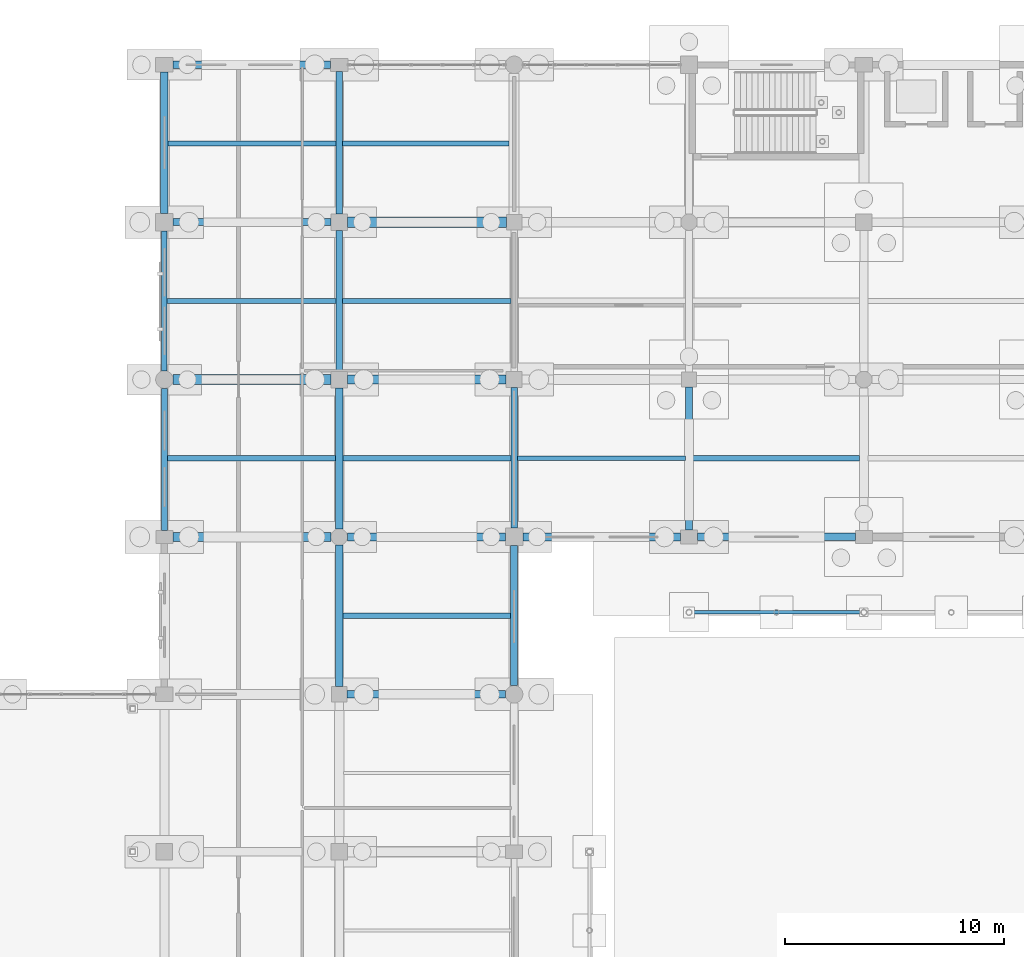
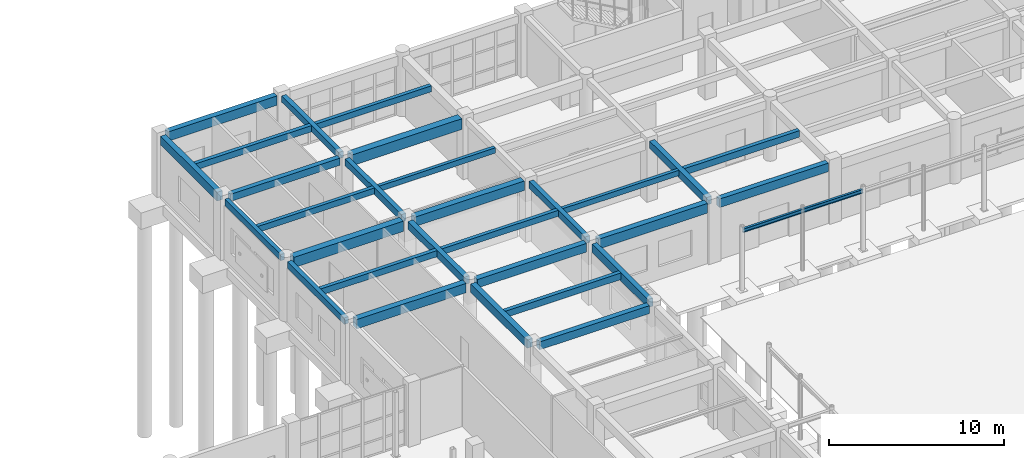
# One storey, part 61 of 166: 30 beams.
"""IFC4 building model written with IfcOpenShell, lengths in metres."""

from ifc_helpers import new_model, si_unit, direction, frame, origin, origin_2d, place, context, subcontext, project, spatial, rectangle, i_section, extrude, material, material_profile, profile_set, type_object, element, save


model = new_model("IFC4")

# Units and contexts
model_context = context("Model", 3, precision=1e-05, world=origin(), true_north=direction((0.0, 1.0)))
body_context = subcontext(model_context, "Body", "Model", "MODEL_VIEW")
ifc_project = project(units=[si_unit("LENGTHUNIT", "METRE"), si_unit("AREAUNIT", "SQUARE_METRE"), si_unit("VOLUMEUNIT", "CUBIC_METRE"), si_unit("PLANEANGLEUNIT", "RADIAN"), si_unit("MASSUNIT", "GRAM", prefix="KILO")], contexts=[model_context])

# Site, building, storey
site_placement = place(None, origin())
site = spatial("IfcSite", under=ifc_project, at=site_placement, CompositionType="ELEMENT")
building_placement = place(site_placement, origin())
building = spatial("IfcBuilding", under=site, at=building_placement, Name="Kharva Crest Polytechnic", CompositionType="ELEMENT")
storey_placement = place(building_placement, origin())
storey = spatial("IfcBuildingStorey", under=building, at=storey_placement, Name="L00", CompositionType="ELEMENT", Elevation=0.0)

# Beams
ifc_material_1 = material(Name="Concrete C35/45", Category="concrete")
ifc_material_profile_1 = material_profile(ifc_material_1, rectangle(XDim=0.300048828125, YDim=0.449951171875, at=origin_2d()), Name="RECT 300 X 450")
ifc_profile_set_1 = profile_set([ifc_material_profile_1], Name="Concrete C35/45")
beam_type_1 = type_object("IfcBeamType", Name="BM-RC-300X450", PredefinedType="BEAM", material=ifc_profile_set_1)
beam_1_placement = place(storey_placement, frame((40.0, 115.169921875, 3.9951171875), z_axis=(0.0, 1.0, 0.0), x_axis=(-1.0, 0.0, 0.0)))
element("IfcBeam", 1, at=beam_1_placement, inside=storey, type_object=beam_type_1, Name="L00 Girder 6/R-S", PredefinedType="BEAM", context=body_context, shape_type="SweptSolid", body=[
    extrude(rectangle(XDim=0.300048828125, YDim=0.449951171875, at=origin_2d()), origin(), (0.0, 0.0, 1.0), 6.530029296875),
])
ifc_material_profile_2 = material_profile(ifc_material_1, rectangle(XDim=0.300048828125, YDim=0.47998046875, at=origin_2d()), Name="RECT 300 X 480")
ifc_profile_set_2 = profile_set([ifc_material_profile_2], Name="Concrete C35/45")
beam_type_2 = type_object("IfcBeamType", Name="BM-RC-300X480", PredefinedType="BEAM", material=ifc_profile_set_2)
beam_2_placement = place(storey_placement, frame((40.0, 107.97998046875, 3.97998046875), z_axis=(0.0, 1.0, 0.0), x_axis=(-1.0, 0.0, 0.0)))
element("IfcBeam", 2, at=beam_2_placement, inside=storey, type_object=beam_type_2, Name="L00 Girder 6/Q-R", PredefinedType="BEAM", context=body_context, shape_type="SweptSolid", body=[
    extrude(rectangle(XDim=0.300048828125, YDim=0.47998046875, at=origin_2d()), origin(), (0.0, 0.0, 1.0), 6.449951171875),
])
beam_3_placement = place(storey_placement, frame((48.0, 100.800048828125, 3.97998046875), z_axis=(0.0, 1.0, 0.0), x_axis=(-1.0, 0.0, 0.0)))
element("IfcBeam", 3, at=beam_3_placement, inside=storey, type_object=beam_type_2, Name="L00 Girder 7/P-Q", PredefinedType="BEAM", context=body_context, shape_type="SweptSolid", body=[
    extrude(rectangle(XDim=0.300048828125, YDim=0.47998046875, at=origin_2d()), origin(), (0.0, 0.0, 1.0), 6.429931640625),
])
ifc_material_profile_3 = material_profile(ifc_material_1, rectangle(XDim=0.320068359375, YDim=0.5, at=origin_2d()), Name="RECT 320 X 500")
ifc_profile_set_3 = profile_set([ifc_material_profile_3], Name="Concrete C35/45")
beam_type_3 = type_object("IfcBeamType", Name="BM-RC-320X500", PredefinedType="BEAM", material=ifc_profile_set_3)
beam_4_placement = place(storey_placement, frame((32.39990234375, 114.800048828125, 3.969970703125), z_axis=(1.0, 0.0, 0.0), x_axis=(0.0, 1.0, 0.0)))
element("IfcBeam", 4, at=beam_4_placement, inside=storey, type_object=beam_type_3, Name="L00 Beam R/5-6", PredefinedType="BEAM", context=body_context, shape_type="SweptSolid", body=[
    extrude(rectangle(XDim=0.320068359375, YDim=0.5, at=origin_2d()), origin(), (0.0, 0.0, 1.0), 7.22998046875),
])
ifc_material_profile_4 = material_profile(ifc_material_1, rectangle(XDim=0.340087890625, YDim=0.52001953125, at=origin_2d()), Name="RECT 340 X 520")
ifc_profile_set_4 = profile_set([ifc_material_profile_4], Name="Concrete C35/45")
beam_type_4 = type_object("IfcBeamType", Name="BM-RC-340X520", PredefinedType="BEAM", material=ifc_profile_set_4)
beam_5_placement = place(storey_placement, frame((40.0, 100.77490234375, 3.9599609375), z_axis=(0.0, 1.0, 0.0), x_axis=(-1.0, 0.0, 0.0)))
element("IfcBeam", 5, at=beam_5_placement, inside=storey, type_object=beam_type_4, Name="L00 Girder 6/P-Q", PredefinedType="BEAM", context=body_context, shape_type="SweptSolid", body=[
    extrude(rectangle(XDim=0.340087890625, YDim=0.52001953125, at=origin_2d()), origin(), (0.0, 0.0, 1.0), 6.445068359375),
])
beam_6_placement = place(storey_placement, frame((56.0, 100.72509765625, 3.9599609375), z_axis=(0.0, 1.0, 0.0), x_axis=(-1.0, 0.0, 0.0)))
element("IfcBeam", 6, at=beam_6_placement, inside=storey, type_object=beam_type_4, Name="L00 Girder 8/P-Q", PredefinedType="BEAM", context=body_context, shape_type="SweptSolid", body=[
    extrude(rectangle(XDim=0.340087890625, YDim=0.52001953125, at=origin_2d()), origin(), (0.0, 0.0, 1.0), 6.52490234375),
])
ifc_material_profile_5 = material_profile(ifc_material_1, rectangle(XDim=0.35009765625, YDim=0.550048828125, at=origin_2d()), Name="RECT 350 X 550")
ifc_profile_set_5 = profile_set([ifc_material_profile_5], Name="Concrete C35/45")
beam_type_5 = type_object("IfcBeamType", Name="BM-RC-350X550", PredefinedType="BEAM", material=ifc_profile_set_5)
beam_7_placement = place(storey_placement, frame((40.35009765625, 93.199951171875, 3.945068359375), z_axis=(1.0, 0.0, 0.0), x_axis=(0.0, 1.0, 0.0)))
element("IfcBeam", 7, at=beam_7_placement, inside=storey, type_object=beam_type_5, Name="L00 Beam N/6-7", PredefinedType="BEAM", context=body_context, shape_type="SweptSolid", body=[
    extrude(rectangle(XDim=0.35009765625, YDim=0.550048828125, at=origin_2d()), origin(), (0.0, 0.0, 1.0), 7.25),
])
ifc_material_profile_6 = material_profile(ifc_material_1, rectangle(XDim=0.360107421875, YDim=0.580078125, at=origin_2d()), Name="RECT 360 X 580")
ifc_profile_set_6 = profile_set([ifc_material_profile_6], Name="Concrete C35/45")
beam_type_6 = type_object("IfcBeamType", Name="BM-RC-360X580", PredefinedType="BEAM", material=ifc_profile_set_6)
beam_8_placement = place(storey_placement, frame((40.0, 93.550048828125, 3.929931640625), z_axis=(0.0, 1.0, 0.0), x_axis=(-1.0, 0.0, 0.0)))
element("IfcBeam", 8, at=beam_8_placement, inside=storey, type_object=beam_type_6, Name="L00 Girder 6/N-P", PredefinedType="BEAM", context=body_context, shape_type="SweptSolid", body=[
    extrude(rectangle(XDim=0.360107421875, YDim=0.580078125, at=origin_2d()), origin(), (0.0, 0.0, 1.0), 6.474853515625),
])
ifc_material_profile_7 = material_profile(ifc_material_1, rectangle(XDim=0.3798828125, YDim=0.60009765625, at=origin_2d()), Name="RECT 380 X 600")
ifc_profile_set_7 = profile_set([ifc_material_profile_7], Name="Concrete C35/45")
beam_type_7 = type_object("IfcBeamType", Name="BM-RC-380X600", PredefinedType="BEAM", material=ifc_profile_set_7)
beam_9_placement = place(storey_placement, frame((40.375, 100.39990234375, 3.919921875), z_axis=(1.0, 0.0, 0.0), x_axis=(0.0, 1.0, 0.0)))
element("IfcBeam", 9, at=beam_9_placement, inside=storey, type_object=beam_type_7, Name="L00 Beam P/6-7", PredefinedType="BEAM", context=body_context, shape_type="SweptSolid", body=[
    extrude(rectangle(XDim=0.3798828125, YDim=0.60009765625, at=origin_2d()), origin(), (0.0, 0.0, 1.0), 7.22509765625),
])
ifc_material_profile_8 = material_profile(ifc_material_1, rectangle(XDim=0.39990234375, YDim=0.64990234375, at=origin_2d()), Name="RECT 400 X 650")
ifc_profile_set_8 = profile_set([ifc_material_profile_8], Name="Concrete C35/45")
beam_type_8 = type_object("IfcBeamType", Name="BM-RC-400X650", PredefinedType="BEAM", material=ifc_profile_set_8)
beam_10_placement = place(storey_placement, frame((32.389892578125, 100.39990234375, 3.89501953125), z_axis=(1.0, 0.0, 0.0), x_axis=(0.0, 1.0, 0.0)))
element("IfcBeam", 10, at=beam_10_placement, inside=storey, type_object=beam_type_8, Name="L00 Beam P/5-6", PredefinedType="BEAM", context=body_context, shape_type="SweptSolid", body=[
    extrude(rectangle(XDim=0.39990234375, YDim=0.64990234375, at=origin_2d()), origin(), (0.0, 0.0, 1.0), 7.235107421875),
])
ifc_material_profile_9 = material_profile(ifc_material_1, rectangle(XDim=0.419921875, YDim=0.659912109375, at=origin_2d()), Name="RECT 420 X 660")
ifc_profile_set_9 = profile_set([ifc_material_profile_9], Name="Concrete C35/45")
beam_type_9 = type_object("IfcBeamType", Name="BM-RC-420X660", PredefinedType="BEAM", material=ifc_profile_set_9)
beam_11_placement = place(storey_placement, frame((40.3798828125, 107.60009765625, 3.889892578125), z_axis=(1.0, 0.0, 0.0), x_axis=(0.0, 1.0, 0.0)))
element("IfcBeam", 11, at=beam_11_placement, inside=storey, type_object=beam_type_9, Name="L00 Beam Q/6-7", PredefinedType="BEAM", context=body_context, shape_type="SweptSolid", body=[
    extrude(rectangle(XDim=0.419921875, YDim=0.659912109375, at=origin_2d()), origin(), (0.0, 0.0, 1.0), 7.25),
])
ifc_material_profile_10 = material_profile(ifc_material_1, rectangle(XDim=0.449951171875, YDim=0.719970703125, at=origin_2d()), Name="RECT 450 X 720")
ifc_profile_set_10 = profile_set([ifc_material_profile_10], Name="Concrete C35/45")
beam_type_10 = type_object("IfcBeamType", Name="BM-RC-450X720", PredefinedType="BEAM", material=ifc_profile_set_10)
beam_12_placement = place(storey_placement, frame((32.39990234375, 107.60009765625, 3.860107421875), z_axis=(1.0, 0.0, 0.0), x_axis=(0.0, 1.0, 0.0)))
element("IfcBeam", 12, at=beam_12_placement, inside=storey, type_object=beam_type_10, Name="L00 Beam Q/5-6", PredefinedType="BEAM", context=body_context, shape_type="SweptSolid", body=[
    extrude(rectangle(XDim=0.449951171875, YDim=0.719970703125, at=origin_2d()), origin(), (0.0, 0.0, 1.0), 7.22021484375),
])
ifc_material_profile_11 = material_profile(ifc_material_1, rectangle(XDim=0.47998046875, YDim=0.75, at=origin_2d()), Name="RECT 480 X 750")
ifc_profile_set_11 = profile_set([ifc_material_profile_11], Name="Concrete C35/45")
beam_type_11 = type_object("IfcBeamType", Name="BM-RC-480X750", PredefinedType="BEAM", material=ifc_profile_set_11)
beam_13_placement = place(storey_placement, frame((40.3701171875, 114.800048828125, 3.844970703125), z_axis=(1.0, 0.0, 0.0), x_axis=(0.0, 1.0, 0.0)))
element("IfcBeam", 13, at=beam_13_placement, inside=storey, type_object=beam_type_11, Name="L00 Beam R/6-7", PredefinedType="BEAM", context=body_context, shape_type="SweptSolid", body=[
    extrude(rectangle(XDim=0.47998046875, YDim=0.75, at=origin_2d()), origin(), (0.0, 0.0, 1.0), 7.27978515625),
])
ifc_material_2 = material(Name="Steel S355", Category="steel")
ifc_material_profile_12 = material_profile(ifc_material_2, i_section(OverallWidth=0.14794921875, OverallDepth=0.26611328125, WebThickness=0.007568359375, FlangeThickness=0.012939453125, at=origin_2d()), Name="W250X44.8")
ifc_profile_set_12 = profile_set([ifc_material_profile_12], Name="Steel S355")
beam_type_12 = type_object("IfcBeamType", Name="BM-STL-W250X44", PredefinedType="SPANDREL", material=ifc_profile_set_12)
beam_14_placement = place(storey_placement, frame((56.02001953125, 96.949951171875, 4.156982421875), z_axis=(1.0, 0.0, 0.0), x_axis=(0.0, 1.0, 0.0)))
element("IfcBeam", 14, at=beam_14_placement, inside=storey, type_object=beam_type_12, Name="L00 North Veranda Beam 1", PredefinedType="SPANDREL", context=body_context, shape_type="SweptSolid", body=[
    extrude(i_section(OverallWidth=0.14794921875, OverallDepth=0.26611328125, WebThickness=0.007568359375, FlangeThickness=0.012939453125, at=origin_2d()), origin(), (0.0, 0.0, 1.0), 7.9599609375),
])
ifc_material_profile_13 = material_profile(ifc_material_1, rectangle(XDim=0.219970703125, YDim=0.3798828125, at=origin_2d()), Name="RECT 220 X 380")
ifc_profile_set_13 = profile_set([ifc_material_profile_13], Name="Concrete C35/45")
beam_type_13 = type_object("IfcBeamType", Name="JS-RC-220X380", PredefinedType="JOIST", material=ifc_profile_set_13)
beam_15_placement = place(storey_placement, frame((48.14990234375, 104.0, 4.030029296875), z_axis=(1.0, 0.0, 0.0), x_axis=(0.0, 1.0, 0.0)))
element("IfcBeam", 15, at=beam_15_placement, inside=storey, type_object=beam_type_13, Name="L00 Floor Joist 10", PredefinedType="JOIST", context=body_context, shape_type="SweptSolid", body=[
    extrude(rectangle(XDim=0.219970703125, YDim=0.3798828125, at=origin_2d()), origin(), (0.0, 0.0, 1.0), 7.68017578125),
])
beam_16_placement = place(storey_placement, frame((40.14990234375, 111.199951171875, 4.030029296875), z_axis=(1.0, 0.0, 0.0), x_axis=(0.0, 1.0, 0.0)))
element("IfcBeam", 16, at=beam_16_placement, inside=storey, type_object=beam_type_13, Name="L00 Floor Joist 26", PredefinedType="JOIST", context=body_context, shape_type="SweptSolid", body=[
    extrude(rectangle(XDim=0.219970703125, YDim=0.3798828125, at=origin_2d()), origin(), (0.0, 0.0, 1.0), 7.7001953125),
])
ifc_material_profile_14 = material_profile(ifc_material_1, rectangle(XDim=0.239990234375, YDim=0.419921875, at=origin_2d()), Name="RECT 240 X 420")
ifc_profile_set_14 = profile_set([ifc_material_profile_14], Name="Concrete C35/45")
beam_type_14 = type_object("IfcBeamType", Name="JS-RC-240X420", PredefinedType="JOIST", material=ifc_profile_set_14)
beam_17_placement = place(storey_placement, frame((40.169921875, 104.0, 4.010009765625), z_axis=(1.0, 0.0, 0.0), x_axis=(0.0, 1.0, 0.0)))
element("IfcBeam", 17, at=beam_17_placement, inside=storey, type_object=beam_type_14, Name="L00 Floor Joist 9", PredefinedType="JOIST", context=body_context, shape_type="SweptSolid", body=[
    extrude(rectangle(XDim=0.239990234375, YDim=0.419921875, at=origin_2d()), origin(), (0.0, 0.0, 1.0), 7.68017578125),
])
beam_18_placement = place(storey_placement, frame((32.1298828125, 111.199951171875, 4.010009765625), z_axis=(1.0, 0.0, 0.0), x_axis=(0.0, 1.0, 0.0)))
element("IfcBeam", 18, at=beam_18_placement, inside=storey, type_object=beam_type_14, Name="L00 Floor Joist 25", PredefinedType="JOIST", context=body_context, shape_type="SweptSolid", body=[
    extrude(rectangle(XDim=0.239990234375, YDim=0.419921875, at=origin_2d()), origin(), (0.0, 0.0, 1.0), 7.72021484375),
])
beam_19_placement = place(storey_placement, frame((40.14990234375, 118.39990234375, 4.010009765625), z_axis=(1.0, 0.0, 0.0), x_axis=(0.0, 1.0, 0.0)))
element("IfcBeam", 19, at=beam_19_placement, inside=storey, type_object=beam_type_14, Name="L00 Floor Joist 45", PredefinedType="JOIST", context=body_context, shape_type="SweptSolid", body=[
    extrude(rectangle(XDim=0.239990234375, YDim=0.419921875, at=origin_2d()), origin(), (0.0, 0.0, 1.0), 7.625),
])
ifc_material_profile_15 = material_profile(ifc_material_1, rectangle(XDim=0.25, YDim=0.43994140625, at=origin_2d()), Name="RECT 250 X 440")
ifc_profile_set_15 = profile_set([ifc_material_profile_15], Name="Concrete C35/45")
beam_type_15 = type_object("IfcBeamType", Name="JS-RC-250X440", PredefinedType="JOIST", material=ifc_profile_set_15)
beam_20_placement = place(storey_placement, frame((32.139892578125, 104.0, 4.0), z_axis=(1.0, 0.0, 0.0), x_axis=(0.0, 1.0, 0.0)))
element("IfcBeam", 20, at=beam_20_placement, inside=storey, type_object=beam_type_15, Name="L00 Floor Joist 8", PredefinedType="JOIST", context=body_context, shape_type="SweptSolid", body=[
    extrude(rectangle(XDim=0.25, YDim=0.43994140625, at=origin_2d()), origin(), (0.0, 0.0, 1.0), 7.690185546875),
])
beam_21_placement = place(storey_placement, frame((32.175048828125, 118.39990234375, 4.0), z_axis=(1.0, 0.0, 0.0), x_axis=(0.0, 1.0, 0.0)))
element("IfcBeam", 21, at=beam_21_placement, inside=storey, type_object=beam_type_15, Name="L00 Floor Joist 44", PredefinedType="JOIST", context=body_context, shape_type="SweptSolid", body=[
    extrude(rectangle(XDim=0.25, YDim=0.43994140625, at=origin_2d()), origin(), (0.0, 0.0, 1.0), 7.675048828125),
])
ifc_material_profile_16 = material_profile(ifc_material_1, rectangle(XDim=0.260009765625, YDim=0.4599609375, at=origin_2d()), Name="RECT 260 X 460")
ifc_profile_set_16 = profile_set([ifc_material_profile_16], Name="Concrete C35/45")
beam_type_16 = type_object("IfcBeamType", Name="JS-RC-260X460", PredefinedType="JOIST", material=ifc_profile_set_16)
beam_22_placement = place(storey_placement, frame((40.179931640625, 96.800048828125, 3.989990234375), z_axis=(1.0, 0.0, 0.0), x_axis=(0.0, 1.0, 0.0)))
element("IfcBeam", 22, at=beam_22_placement, inside=storey, type_object=beam_type_16, Name="L00 Floor Joist 7", PredefinedType="JOIST", context=body_context, shape_type="SweptSolid", body=[
    extrude(rectangle(XDim=0.260009765625, YDim=0.4599609375, at=origin_2d()), origin(), (0.0, 0.0, 1.0), 7.66015625),
])
beam_23_placement = place(storey_placement, frame((56.169921875, 104.0, 3.989990234375), z_axis=(1.0, 0.0, 0.0), x_axis=(0.0, 1.0, 0.0)))
element("IfcBeam", 23, at=beam_23_placement, inside=storey, type_object=beam_type_16, Name="L00 Floor Joist 11", PredefinedType="JOIST", context=body_context, shape_type="SweptSolid", body=[
    extrude(rectangle(XDim=0.260009765625, YDim=0.4599609375, at=origin_2d()), origin(), (0.0, 0.0, 1.0), 7.630126953125),
])
ifc_material_profile_17 = material_profile(ifc_material_1, rectangle(XDim=0.260009765625, YDim=0.43994140625, at=origin_2d()), Name="RECT 260 X 440")
ifc_profile_set_17 = profile_set([ifc_material_profile_17], Name="Concrete C35/45")
beam_type_17 = type_object("IfcBeamType", Name="SP-RC-260X440", PredefinedType="SPANDREL", material=ifc_profile_set_17)
beam_24_placement = place(storey_placement, frame((32.0, 108.0, 4.0), z_axis=(0.0, 1.0, 0.0), x_axis=(-1.0, 0.0, 0.0)))
element("IfcBeam", 24, at=beam_24_placement, inside=storey, type_object=beam_type_17, Name="L00 Girder 5/Q-R", PredefinedType="SPANDREL", context=body_context, shape_type="SweptSolid", body=[
    extrude(rectangle(XDim=0.260009765625, YDim=0.43994140625, at=origin_2d()), origin(), (0.0, 0.0, 1.0), 6.39990234375),
])
ifc_material_profile_18 = material_profile(ifc_material_1, rectangle(XDim=0.280029296875, YDim=0.4599609375, at=origin_2d()), Name="RECT 280 X 460")
ifc_profile_set_18 = profile_set([ifc_material_profile_18], Name="Concrete C35/45")
beam_type_18 = type_object("IfcBeamType", Name="SP-RC-280X460", PredefinedType="SPANDREL", material=ifc_profile_set_18)
beam_25_placement = place(storey_placement, frame((32.0, 100.699951171875, 3.989990234375), z_axis=(0.0, 1.0, 0.0), x_axis=(-1.0, 0.0, 0.0)))
element("IfcBeam", 25, at=beam_25_placement, inside=storey, type_object=beam_type_18, Name="L00 Girder 5/P-Q", PredefinedType="SPANDREL", context=body_context, shape_type="SweptSolid", body=[
    extrude(rectangle(XDim=0.280029296875, YDim=0.4599609375, at=origin_2d()), origin(), (0.0, 0.0, 1.0), 6.5),
])
ifc_material_profile_19 = material_profile(ifc_material_1, rectangle(XDim=0.320068359375, YDim=0.580078125, at=origin_2d()), Name="RECT 320 X 580")
ifc_profile_set_19 = profile_set([ifc_material_profile_19], Name="Concrete C35/45")
beam_type_19 = type_object("IfcBeamType", Name="SP-RC-320X580", PredefinedType="SPANDREL", material=ifc_profile_set_19)
beam_26_placement = place(storey_placement, frame((48.0, 93.60009765625, 3.929931640625), z_axis=(0.0, 1.0, 0.0), x_axis=(-1.0, 0.0, 0.0)))
element("IfcBeam", 26, at=beam_26_placement, inside=storey, type_object=beam_type_19, Name="L00 Girder 7/N-P", PredefinedType="SPANDREL", context=body_context, shape_type="SweptSolid", body=[
    extrude(rectangle(XDim=0.320068359375, YDim=0.580078125, at=origin_2d()), origin(), (0.0, 0.0, 1.0), 6.39990234375),
])
ifc_material_profile_20 = material_profile(ifc_material_1, rectangle(XDim=0.340087890625, YDim=0.60009765625, at=origin_2d()), Name="RECT 340 X 600")
ifc_profile_set_20 = profile_set([ifc_material_profile_20], Name="Concrete C35/45")
beam_type_20 = type_object("IfcBeamType", Name="SP-RC-340X600", PredefinedType="SPANDREL", material=ifc_profile_set_20)
beam_27_placement = place(storey_placement, frame((56.39990234375, 100.39990234375, 3.919921875), z_axis=(1.0, 0.0, 0.0), x_axis=(0.0, 1.0, 0.0)))
element("IfcBeam", 27, at=beam_27_placement, inside=storey, type_object=beam_type_20, Name="L00 Beam P/8-9", PredefinedType="SPANDREL", context=body_context, shape_type="SweptSolid", body=[
    extrude(rectangle(XDim=0.340087890625, YDim=0.60009765625, at=origin_2d()), origin(), (0.0, 0.0, 1.0), 7.210205078125),
])
ifc_material_profile_21 = material_profile(ifc_material_1, rectangle(XDim=0.35009765625, YDim=0.6201171875, at=origin_2d()), Name="RECT 350 X 620")
ifc_profile_set_21 = profile_set([ifc_material_profile_21], Name="Concrete C35/45")
beam_type_21 = type_object("IfcBeamType", Name="SP-RC-350X620", PredefinedType="SPANDREL", material=ifc_profile_set_21)
beam_28_placement = place(storey_placement, frame((32.0, 115.199951171875, 3.909912109375), z_axis=(0.0, 1.0, 0.0), x_axis=(-1.0, 0.0, 0.0)))
element("IfcBeam", 28, at=beam_28_placement, inside=storey, type_object=beam_type_21, Name="L00 Girder 5/R-S", PredefinedType="SPANDREL", context=body_context, shape_type="SweptSolid", body=[
    extrude(rectangle(XDim=0.35009765625, YDim=0.6201171875, at=origin_2d()), origin(), (0.0, 0.0, 1.0), 6.47509765625),
])
ifc_material_profile_22 = material_profile(ifc_material_1, rectangle(XDim=0.360107421875, YDim=0.64990234375, at=origin_2d()), Name="RECT 360 X 650")
ifc_profile_set_22 = profile_set([ifc_material_profile_22], Name="Concrete C35/45")
beam_type_22 = type_object("IfcBeamType", Name="SP-RC-360X650", PredefinedType="SPANDREL", material=ifc_profile_set_22)
beam_29_placement = place(storey_placement, frame((32.39990234375, 122.0, 3.89501953125), z_axis=(1.0, 0.0, 0.0), x_axis=(0.0, 1.0, 0.0)))
element("IfcBeam", 29, at=beam_29_placement, inside=storey, type_object=beam_type_22, Name="L00 Beam S/5-6", PredefinedType="SPANDREL", context=body_context, shape_type="SweptSolid", body=[
    extrude(rectangle(XDim=0.360107421875, YDim=0.64990234375, at=origin_2d()), origin(), (0.0, 0.0, 1.0), 7.210205078125),
])
ifc_material_profile_23 = material_profile(ifc_material_1, rectangle(XDim=0.3798828125, YDim=0.679931640625, at=origin_2d()), Name="RECT 380 X 680")
ifc_profile_set_23 = profile_set([ifc_material_profile_23], Name="Concrete C35/45")
beam_type_23 = type_object("IfcBeamType", Name="SP-RC-380X680", PredefinedType="SPANDREL", material=ifc_profile_set_23)
beam_30_placement = place(storey_placement, frame((48.39990234375, 100.39990234375, 3.8798828125), z_axis=(1.0, 0.0, 0.0), x_axis=(0.0, 1.0, 0.0)))
element("IfcBeam", 30, at=beam_30_placement, inside=storey, type_object=beam_type_23, Name="L00 Beam P/7-8", PredefinedType="SPANDREL", context=body_context, shape_type="SweptSolid", body=[
    extrude(rectangle(XDim=0.3798828125, YDim=0.679931640625, at=origin_2d()), origin(), (0.0, 0.0, 1.0), 7.2001953125),
])

save(model, "model.ifc")
